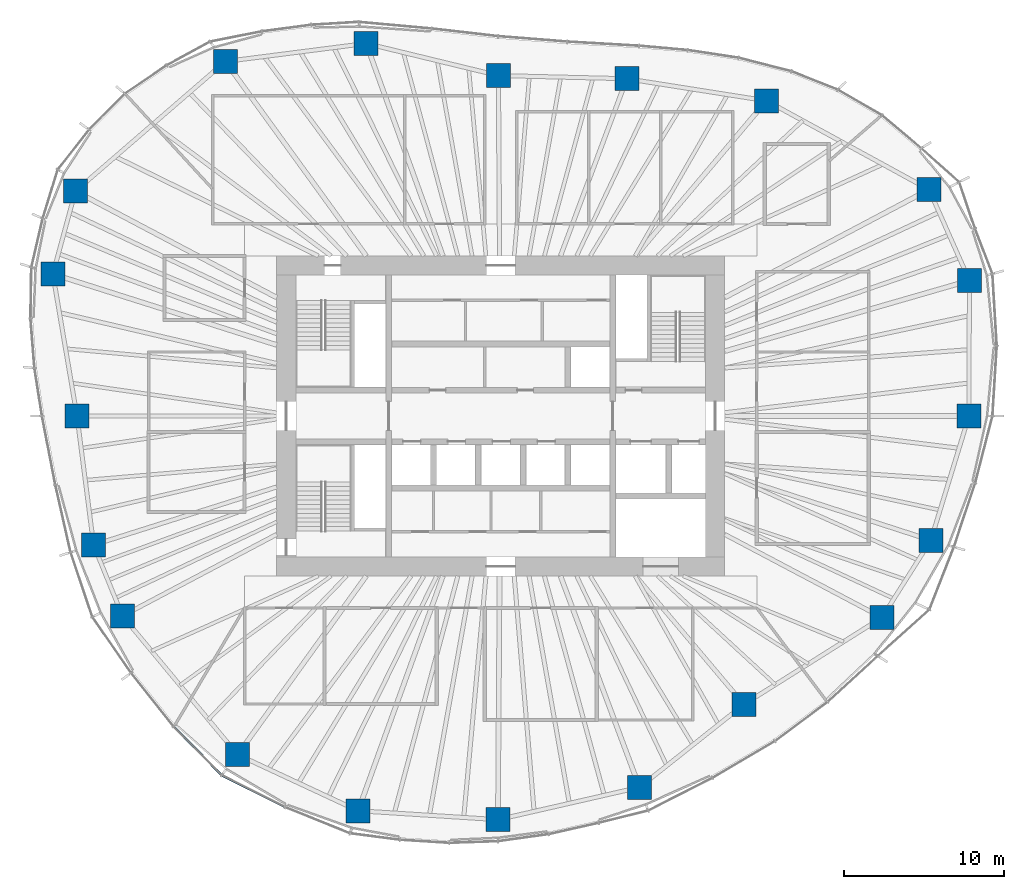
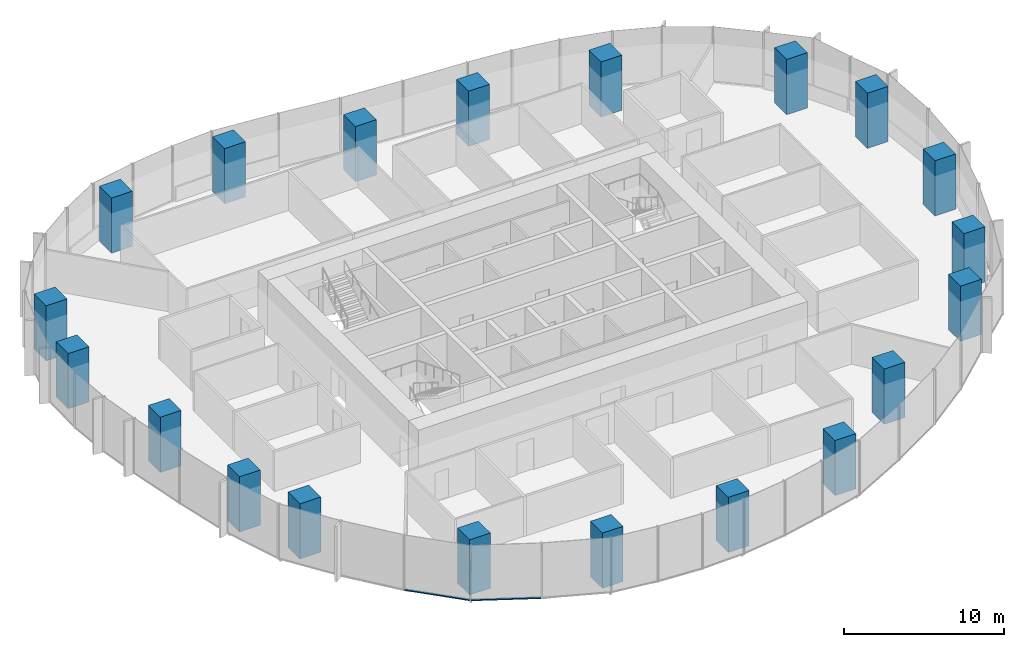
# One storey, part 1 of 18: 20 columns, 2 members, 2 elements without a shape of their own.
"""IFC4 building model written with IfcOpenShell, lengths in metres."""

from ifc_helpers import new_model, si_unit, direction, frame, origin, origin_2d, place, context, subcontext, project, spatial, rectangle, extrude, material, material_profile, profile_set, type_object, element, aggregate, save


model = new_model("IFC4")

# Units and contexts
model_context = context("Model", 3, precision=1e-05, world=origin(), true_north=direction((0.0, 1.0)))
body_context = subcontext(model_context, "Body", "Model", "MODEL_VIEW")
ifc_project = project(units=[si_unit("LENGTHUNIT", "METRE"), si_unit("AREAUNIT", "SQUARE_METRE"), si_unit("VOLUMEUNIT", "CUBIC_METRE"), si_unit("PLANEANGLEUNIT", "RADIAN"), si_unit("MASSUNIT", "GRAM", prefix="KILO")], contexts=[model_context])

# Site, building, storey
site_placement = place(None, origin())
site = spatial("IfcSite", under=ifc_project, at=site_placement, CompositionType="ELEMENT")
building_placement = place(site_placement, origin())
building = spatial("IfcBuilding", under=site, at=building_placement, Name="Ghaith Harvest Tower", CompositionType="ELEMENT")
storey_placement = place(building_placement, frame((0.0, 0.0, 117.60009765625)))
storey = spatial("IfcBuildingStorey", under=building, at=storey_placement, Name="L24", CompositionType="ELEMENT", Elevation=117.60009765625)

# Columns
ifc_material_1 = material(Name="Concrete C60/75", Category="concrete")
ifc_material_profile_1 = material_profile(ifc_material_1, rectangle(XDim=1.5, YDim=1.5, at=origin_2d()), Name="RC1500X1500")
ifc_profile_set_1 = profile_set([ifc_material_profile_1], Name="Concrete C60/75")
column_type = type_object("IfcColumnType", Name="TC3 RC1500X1500", PredefinedType="COLUMN", material=ifc_profile_set_1)
for number, where, z_axis, x_axis, name in (
    (1, (29.259033203125, 0.0, 0.0), (0.0, 0.0, 1.0), (1.0, 0.0, 0.0), "Perimeter column C01"),
    (2, (29.285888671875, 8.464111328125, 0.0), (0.0, 0.0, 1.0), (1.0, 0.0, 0.0), "Perimeter column C02"),
    (3, (26.763916015625, 14.14697265625, 0.0), (0.0, 0.0, 1.0), (1.0, 0.0, 0.0), "Perimeter column C03"),
    (4, (16.60791015625, 19.695068359375, 0.0), (0.0, 0.0, 1.0), (1.0, 0.0, 0.0), "Perimeter column C04"),
    (5, (7.8779296875, 21.072021484375, 0.0), (0.0, 0.0, 1.0), (1.0, 0.0, 0.0), "Perimeter column C05"),
    (6, (-0.14599609375, 21.27099609375, 0.0), (0.0, 0.0, 1.0), (1.0, 0.0, 0.0), "Perimeter column C06"),
    (7, (-8.406982421875, 23.27587890625, 0.0), (0.0, 0.0, 1.0), (1.0, 0.0, 0.0), "Perimeter column C07"),
    (8, (-17.201904296875, 22.14990234375, 0.0), (0.0, 0.0, 1.0), (1.0, 0.0, 0.0), "Perimeter column C08"),
    (9, (-26.572998046875, 14.0458984375, 0.0), (0.0, 0.0, 1.0), (1.0, 0.0, 0.0), "Perimeter column C09"),
    (10, (-27.98291015625, 8.867919921875, 0.0), (0.0, 0.0, 1.0), (1.0, 0.0, 0.0), "Perimeter column C10"),
    (11, (-26.47509765625, 0.0, 0.0), (0.0, 0.0, 1.0), (1.0, 0.0, 0.0), "Perimeter column C11"),
    (12, (-25.43603515625, -8.06103515625, 0.0), (0.0, 0.0, 1.0), (1.0, 0.0, 0.0), "Perimeter column C12"),
    (13, (-23.635009765625, -12.492919921875, 0.0), (0.0, 0.0, 1.0), (1.0, 0.0, 0.0), "Perimeter column C13"),
    (14, (-16.43701171875, -21.1640625, 0.0), (0.0, 0.0, 1.0), (1.0, 0.0, 0.0), "Perimeter column C14"),
    (15, (-8.908935546875, -24.66796875, 0.0), (0.0, 0.0, 1.0), (1.0, 0.0, 0.0), "Perimeter column C15"),
    (16, (-0.173095703125, -25.22412109375, 0.0), (0.0, 0.0, 1.0), (1.0, 0.0, 0.0), "Perimeter column C16"),
    (17, (8.674072265625, -23.202880859375, 0.0), (0.0, 0.0, 1.0), (1.0, 0.0, 0.0), "Perimeter column C17"),
    (18, (15.197998046875, -18.02294921875, 0.0), (0.0, 0.0, 1.0), (1.0, 0.0, 0.0), "Perimeter column C18"),
    (19, (23.825927734375, -12.593994140625, 0.0), (0.0, 0.0, 1.0), (1.0, 0.0, 0.0), "Perimeter column C19"),
    (20, (26.8779296875, -7.76806640625, 0.0), (0.0, 0.0, 1.0), (1.0, 0.0, 0.0), "Perimeter column C20"),
):
    element("IfcColumn", number, at=place(storey_placement, frame(where, z_axis=z_axis, x_axis=x_axis)), inside=storey, type_object=column_type, Name=name, PredefinedType="COLUMN", context=body_context, shape_type="SweptSolid", body=[
        extrude(rectangle(XDim=1.5, YDim=1.5, at=origin_2d()), origin(), (0.0, 0.0, 1.0), 4.199951171875),
    ])

# Curtain wall, member
ifc_material_2 = material(Name="Black anodised aluminium and fritted glass", Category="aluminium")
curtain_wall_type = type_object("IfcCurtainWallType", Name="CW-L CURTAIN WALL", PredefinedType="NOTDEFINED", material=ifc_material_2)
curtain_wall_1_placement = place(storey_placement, origin())
curtain_wall_1 = element("IfcCurtainWall", 21, at=curtain_wall_1_placement, inside=storey, type_object=curtain_wall_type, Name="Curtain wall CW-L bay 13 L24", PredefinedType="NOTDEFINED")
ifc_material_3 = material(Name="Aluminium, black anodised", Category="aluminium")
ifc_material_profile_2 = material_profile(ifc_material_3, rectangle(XDim=0.14990234375, YDim=0.080078125, at=origin_2d()), Name="CW-L TRANSOM 150x80")
ifc_profile_set_2 = profile_set([ifc_material_profile_2], Name="Aluminium, black anodised")
member_type = type_object("IfcMemberType", Name="CW-L TRANSOM 150x80", PredefinedType="USERDEFINED", material=ifc_profile_set_2)
member_1_placement = place(storey_placement, frame((-20.4130859375, -19.425048828125, 0.039794921875), z_axis=(0.702854410476, -0.711333731574, 0.0), x_axis=(0.711333731574, 0.702854410476, 0.0)))
member_1 = element("IfcMember", 22, at=member_1_placement, type_object=member_type, Name="CW-L transom 2 bay 13 L24", ObjectType="TRANSOM", PredefinedType="USERDEFINED", context=body_context, shape_type="SweptSolid", body=[
    extrude(rectangle(XDim=0.14990234375, YDim=0.080078125, at=origin_2d()), origin(), (0.0, 0.0, 1.0), 4.20361328125),
])
aggregate(curtain_wall_1, [member_1])

curtain_wall_2_placement = place(storey_placement, origin())
curtain_wall_2 = element("IfcCurtainWall", 23, at=curtain_wall_2_placement, inside=storey, type_object=curtain_wall_type, Name="Curtain wall CW-L bay 14 L24", PredefinedType="NOTDEFINED")
member_2_placement = place(storey_placement, frame((-17.394775390625, -22.461669921875, 0.039794921875), z_axis=(0.893057524502, -0.449942505138, 0.0), x_axis=(0.449942505138, 0.893057524502, 0.0)))
member_2 = element("IfcMember", 24, at=member_2_placement, type_object=member_type, Name="CW-L transom 1 bay 14 L24", ObjectType="TRANSOM", PredefinedType="USERDEFINED", context=body_context, shape_type="SweptSolid", body=[
    extrude(rectangle(XDim=0.14990234375, YDim=0.080078125, at=origin_2d()), origin(), (0.0, 0.0, 1.0), 4.362548828125),
])
aggregate(curtain_wall_2, [member_2])

save(model, "model.ifc")
